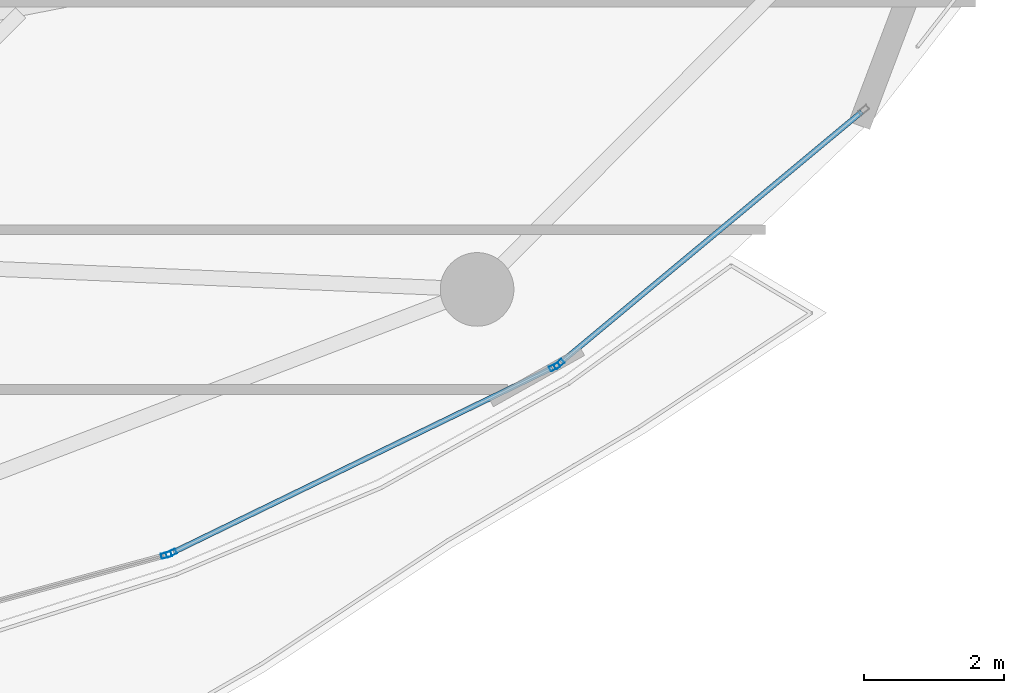
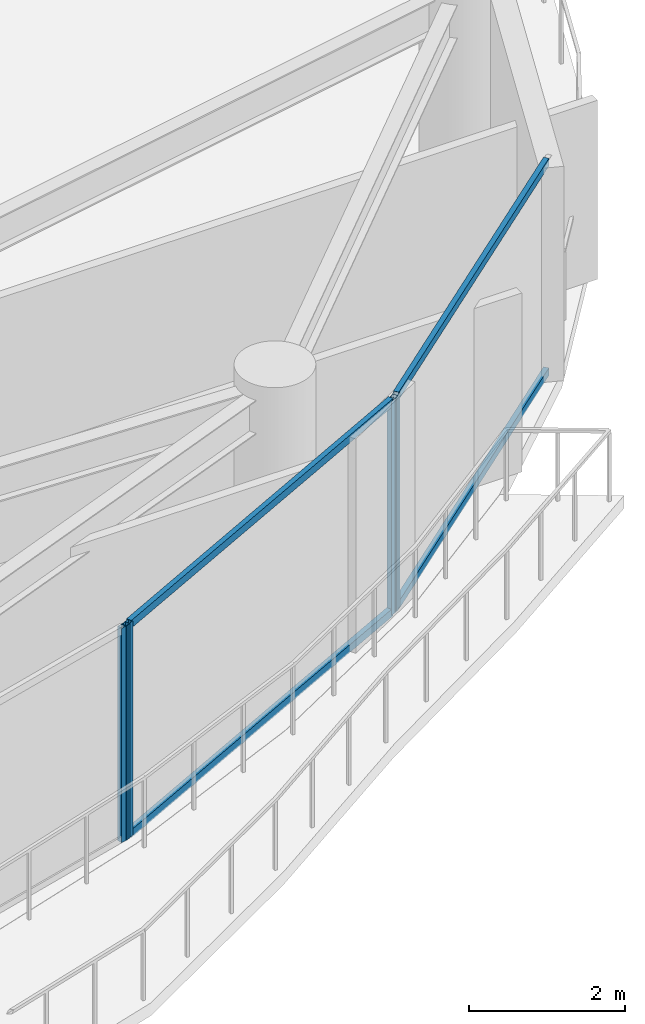
# One storey, part 12 of 29: 8 members, 3 elements without a shape of their own.
"""IFC4 building model written with IfcOpenShell, lengths in metres."""

from ifc_helpers import new_model, si_unit, direction, frame, origin, origin_2d, place, context, subcontext, project, spatial, hollow_rectangle, extrude, material, layer, layer_set, material_profile, profile_set, type_object, element, aggregate, save


model = new_model("IFC4")

# Units and contexts
model_context = context("Model", 3, precision=1e-05, world=origin(), true_north=direction((0.0, 1.0)))
body_context = subcontext(model_context, "Body", "Model", "MODEL_VIEW")
ifc_project = project(units=[si_unit("LENGTHUNIT", "METRE"), si_unit("AREAUNIT", "SQUARE_METRE"), si_unit("VOLUMEUNIT", "CUBIC_METRE"), si_unit("PLANEANGLEUNIT", "RADIAN"), si_unit("MASSUNIT", "GRAM", prefix="KILO")], contexts=[model_context])

# Site, building, storey
site_placement = place(None, origin())
site = spatial("IfcSite", under=ifc_project, at=site_placement, CompositionType="ELEMENT")
building_placement = place(site_placement, origin())
building = spatial("IfcBuilding", under=site, at=building_placement, Name="Kazevale Care Tower and Concert Hall", CompositionType="ELEMENT")
storey_placement = place(building_placement, frame((0.0, 0.0, 213.60009765625)))
storey = spatial("IfcBuildingStorey", under=building, at=storey_placement, Name="L56", CompositionType="ELEMENT", Elevation=213.60009765625)

# Curtain wall, member
ifc_material_1 = material(Name="Aluminium 6063-T6 and Low-E Glass", Category="aluminium")
ifc_layer = layer(ifc_material_1, 0.179931640625)
ifc_layer_set = layer_set([ifc_layer], Name="Aluminium 6063-T6 and Low-E Glass")
curtain_wall_type = type_object("IfcCurtainWallType", Name="Sheltered Concave Balcony Curtain Wall CW-5", PredefinedType="NOTDEFINED", material=ifc_layer_set)
curtain_wall_1_placement = place(storey_placement, origin())
curtain_wall_1 = element("IfcCurtainWall", 1, at=curtain_wall_1_placement, inside=storey, type_object=curtain_wall_type, Name="cw:L56:f02", PredefinedType="NOTDEFINED")
ifc_material_2 = material(Name="Aluminium 6063-T6", Category="aluminium")
ifc_material_profile_1 = material_profile(ifc_material_2, hollow_rectangle(XDim=0.074951171875, YDim=0.14990234375, WallThickness=0.00390625, at=origin_2d()), Name="ALU75x150x4")
ifc_profile_set_1 = profile_set([ifc_material_profile_1], Name="Aluminium 6063-T6")
member_type_1 = type_object("IfcMemberType", Name="CW-5 Mullion ALU75x150x4", PredefinedType="MULLION", material=ifc_profile_set_1)
member_1_placement = place(storey_placement, frame((67.417724609375, 21.5869140625, 0.0), z_axis=(0.0, 0.0, 1.0), x_axis=(0.639961217204, -0.768407210062, 0.0)))
member_1 = element("IfcMember", 2, at=member_1_placement, type_object=member_type_1, Name="CW-5 mullion 2", PredefinedType="MULLION", context=body_context, shape_type="SweptSolid", body=[
    extrude(hollow_rectangle(XDim=0.074951171875, YDim=0.14990234375, WallThickness=0.00390625, at=origin_2d()), origin(), (0.0, 0.0, 1.0), 3.35986328125),
])

# Curtain wall, members
curtain_wall_2_placement = place(storey_placement, origin())
curtain_wall_2 = element("IfcCurtainWall", 3, at=curtain_wall_2_placement, inside=storey, type_object=curtain_wall_type, Name="cw:L56:f03", PredefinedType="NOTDEFINED")
member_2_placement = place(storey_placement, frame((67.355224609375, 21.546630859375, 0.0), z_axis=(0.0, 0.0, 1.0), x_axis=(0.437238357087, -0.89934566163, 0.0)))
member_2 = element("IfcMember", 4, at=member_2_placement, type_object=member_type_1, Name="CW-5 mullion 1", PredefinedType="MULLION", context=body_context, shape_type="SweptSolid", body=[
    extrude(hollow_rectangle(XDim=0.074951171875, YDim=0.14990234375, WallThickness=0.00390625, at=origin_2d()), origin(), (0.0, 0.0, 1.0), 3.35986328125),
])
member_3_placement = place(storey_placement, frame((61.8896484375, 18.889404296875, 0.0), z_axis=(0.0, 0.0, 1.0), x_axis=(0.437238357087, -0.89934566163, 0.0)))
member_3 = element("IfcMember", 5, at=member_3_placement, type_object=member_type_1, Name="CW-5 mullion 2", PredefinedType="MULLION", context=body_context, shape_type="SweptSolid", body=[
    extrude(hollow_rectangle(XDim=0.074951171875, YDim=0.14990234375, WallThickness=0.00390625, at=origin_2d()), origin(), (0.0, 0.0, 1.0), 3.35986328125),
])

# Curtain wall, member
curtain_wall_3_placement = place(storey_placement, origin())
curtain_wall_3 = element("IfcCurtainWall", 6, at=curtain_wall_3_placement, inside=storey, type_object=curtain_wall_type, Name="cw:L56:f04", PredefinedType="NOTDEFINED")
member_4_placement = place(storey_placement, frame((61.81982421875, 18.863037109375, 0.0), z_axis=(0.0, 0.0, 1.0), x_axis=(0.262848968947, -0.964836991167, 0.0)))
member_4 = element("IfcMember", 7, at=member_4_placement, type_object=member_type_1, Name="CW-5 mullion 1", PredefinedType="MULLION", context=body_context, shape_type="SweptSolid", body=[
    extrude(hollow_rectangle(XDim=0.074951171875, YDim=0.14990234375, WallThickness=0.00390625, at=origin_2d()), origin(), (0.0, 0.0, 1.0), 3.35986328125),
])
aggregate(curtain_wall_3, [member_4])

# Member
ifc_material_profile_2 = material_profile(ifc_material_2, hollow_rectangle(XDim=0.074951171875, YDim=0.1201171875, WallThickness=0.00390625, at=origin_2d()), Name="ALU75x120x4")
ifc_profile_set_2 = profile_set([ifc_material_profile_2], Name="Aluminium 6063-T6")
member_type_2 = type_object("IfcMemberType", Name="CW-5 Transom ALU75x120x4", PredefinedType="USERDEFINED", material=ifc_profile_set_2)
member_5_placement = place(storey_placement, frame((71.734375, 25.181884765625, 0.037353515625), z_axis=(-0.768432829708, -0.639930454211, 0.0), x_axis=(0.639930454211, -0.768432829708, 0.0)))
member_5 = element("IfcMember", 8, at=member_5_placement, type_object=member_type_2, Name="CW-5 transom 1.1", ObjectType="TRANSOM", PredefinedType="USERDEFINED", context=body_context, shape_type="SweptSolid", body=[
    extrude(hollow_rectangle(XDim=0.074951171875, YDim=0.1201171875, WallThickness=0.00390625, at=origin_2d()), origin(), (0.0, 0.0, 1.0), 5.580078125),
])

member_6_placement = place(storey_placement, frame((71.734375, 25.181884765625, 3.322509765625), z_axis=(-0.768432829708, -0.639930454211, 0.0), x_axis=(0.639930454211, -0.768432829708, 0.0)))
member_6 = element("IfcMember", 9, at=member_6_placement, type_object=member_type_2, Name="CW-5 transom 1.2", ObjectType="TRANSOM", PredefinedType="USERDEFINED", context=body_context, shape_type="SweptSolid", body=[
    extrude(hollow_rectangle(XDim=0.074951171875, YDim=0.1201171875, WallThickness=0.00390625, at=origin_2d()), origin(), (0.0, 0.0, 1.0), 5.580078125),
])

aggregate(curtain_wall_1, [member_1, member_5, member_6])

member_7_placement = place(storey_placement, frame((67.321533203125, 21.5302734375, 0.037353515625), z_axis=(-0.899342308406, -0.437245254189, 0.0), x_axis=(0.437245254189, -0.899342308406, 0.0)))
member_7 = element("IfcMember", 10, at=member_7_placement, type_object=member_type_2, Name="CW-5 transom 1.1", ObjectType="TRANSOM", PredefinedType="USERDEFINED", context=body_context, shape_type="SweptSolid", body=[
    extrude(hollow_rectangle(XDim=0.074951171875, YDim=0.1201171875, WallThickness=0.00390625, at=origin_2d()), origin(), (0.0, 0.0, 1.0), 6.00244140625),
])

member_8_placement = place(storey_placement, frame((67.321533203125, 21.5302734375, 3.322509765625), z_axis=(-0.899342308406, -0.437245254189, 0.0), x_axis=(0.437245254189, -0.899342308406, 0.0)))
member_8 = element("IfcMember", 11, at=member_8_placement, type_object=member_type_2, Name="CW-5 transom 1.2", ObjectType="TRANSOM", PredefinedType="USERDEFINED", context=body_context, shape_type="SweptSolid", body=[
    extrude(hollow_rectangle(XDim=0.074951171875, YDim=0.1201171875, WallThickness=0.00390625, at=origin_2d()), origin(), (0.0, 0.0, 1.0), 6.00244140625),
])

aggregate(curtain_wall_2, [member_2, member_3, member_7, member_8])

save(model, "model.ifc")
